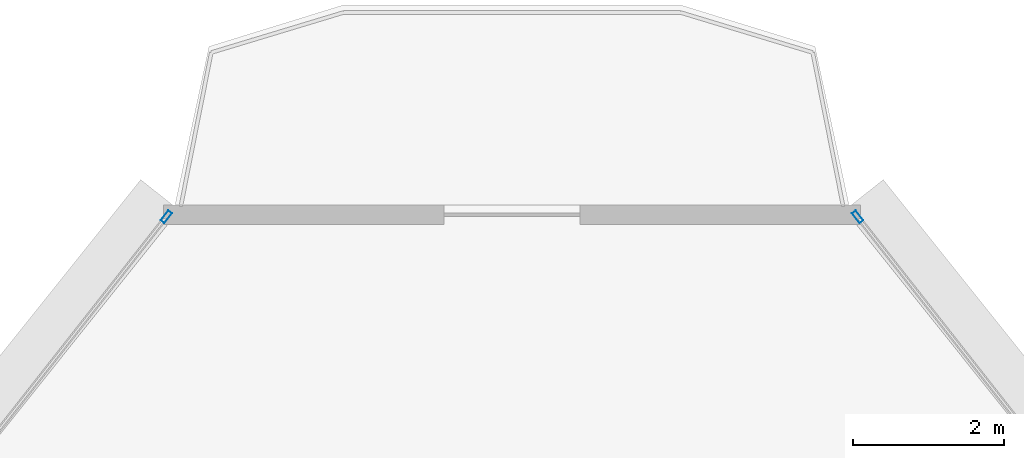
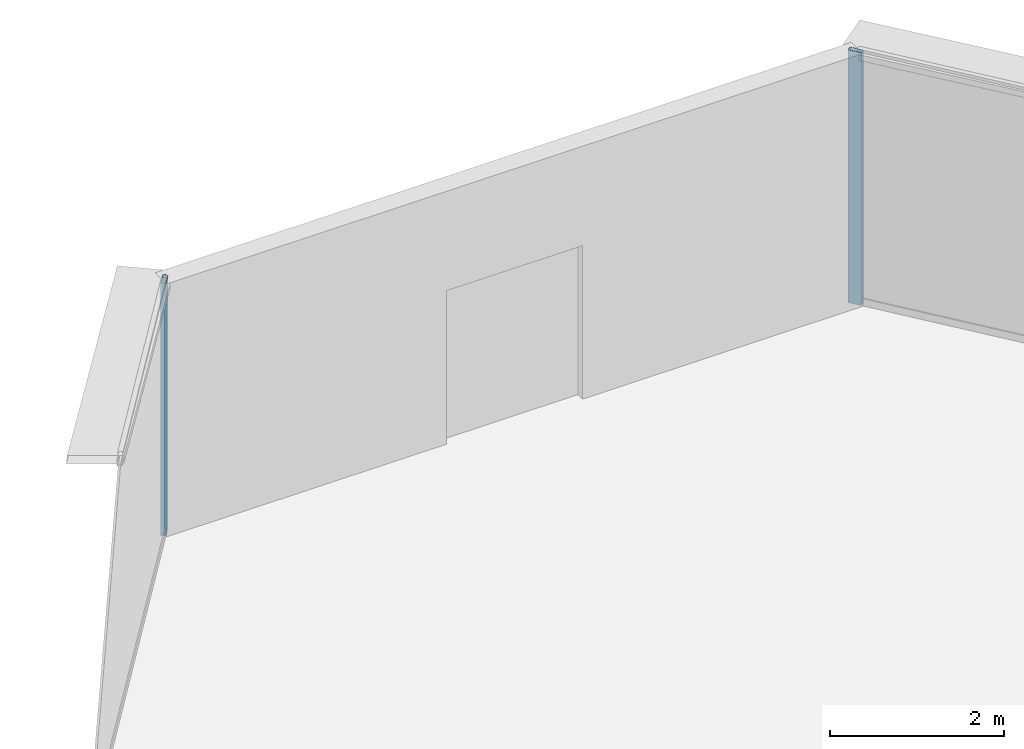
# One storey, part 26 of 39: 2 members, 2 elements without a shape of their own.
"""IFC4 building model written with IfcOpenShell, lengths in metres."""

from ifc_helpers import new_model, si_unit, direction, frame, origin, origin_2d, place, context, subcontext, project, spatial, hollow_rectangle, extrude, source, transform, mapped, material, layer, layer_set, material_profile, profile_set, type_object, element, aggregate, save


model = new_model("IFC4")

# Units and contexts
model_context = context("Model", 3, precision=1e-05, world=origin(), true_north=direction((0.0, 1.0)))
body_context = subcontext(model_context, "Body", "Model", "MODEL_VIEW")
ifc_project = project(units=[si_unit("LENGTHUNIT", "METRE"), si_unit("AREAUNIT", "SQUARE_METRE"), si_unit("VOLUMEUNIT", "CUBIC_METRE"), si_unit("PLANEANGLEUNIT", "RADIAN"), si_unit("MASSUNIT", "GRAM", prefix="KILO"), si_unit("THERMODYNAMICTEMPERATUREUNIT", "KELVIN"), si_unit("POWERUNIT", "WATT")], contexts=[model_context])

# Site, building, storey
site_placement = place(None, origin())
site = spatial("IfcSite", under=ifc_project, at=site_placement, CompositionType="ELEMENT")
building_placement = place(site_placement, origin())
building = spatial("IfcBuilding", under=site, at=building_placement, Name="Yunzhuo Pagoda Commons", CompositionType="ELEMENT")
storey_placement = place(building_placement, frame((0.0, 0.0, 92.580078125)))
storey = spatial("IfcBuildingStorey", under=building, at=storey_placement, Name="L23", CompositionType="ELEMENT", Elevation=92.580078125)

# Curtain wall, member
ifc_material = material(Name="Anodized aluminium 6063-T6", Category="aluminium")
ifc_layer = layer(ifc_material, 0.1650390625)
ifc_layer_set = layer_set([ifc_layer], Name="Anodized aluminium 6063-T6")
curtain_wall_type = type_object("IfcCurtainWallType", Name="CW-LOW Low-Zone Ribbon Curtain Wall", PredefinedType="NOTDEFINED", material=ifc_layer_set)
curtain_wall_1_placement = place(storey_placement, origin())
curtain_wall_1 = element("IfcCurtainWall", 1, at=curtain_wall_1_placement, inside=storey, type_object=curtain_wall_type, Name="L23 curtain wall CW-L23-F2B5", PredefinedType="NOTDEFINED")
ifc_material_profile = material_profile(ifc_material, hollow_rectangle(XDim=0.06494140625, YDim=0.1650390625, WallThickness=0.00390625, at=origin_2d()), Name="Anodized aluminium 6063-T6")
ifc_profile_set = profile_set([ifc_material_profile], Name="Anodized aluminium 6063-T6")
member_type = type_object("IfcMemberType", Name="CW-LOW-M Mullion RHS 165x65x4", PredefinedType="MULLION", material=ifc_profile_set)
shared_shape = source(origin(), body_context, "Body", "SweptSolid", [
    extrude(hollow_rectangle(XDim=0.06494140625, YDim=0.1650390625, WallThickness=0.00390625, at=origin_2d()), origin(), (0.0, 0.0, 1.0), 3.5400390625),
])
member_1_placement = place(storey_placement, frame((52.577392578125, 86.879150390625, 0.0), z_axis=(0.0, 0.0, 1.0), x_axis=(-0.786214870416, -0.617953216301, 0.0)))
member_1 = element("IfcMember", 2, at=member_1_placement, type_object=member_type, Name="CW mullion 2", PredefinedType="MULLION", context=body_context, shape_type="MappedRepresentation", body=[
    mapped(shared_shape, transform((0.0, 0.0, 0.0), scale=1.0)),
])
aggregate(curtain_wall_1, [member_1])

curtain_wall_2_placement = place(storey_placement, origin())
curtain_wall_2 = element("IfcCurtainWall", 3, at=curtain_wall_2_placement, inside=storey, type_object=curtain_wall_type, Name="L23 curtain wall CW-L23-F3B1", PredefinedType="NOTDEFINED")
member_2_placement = place(storey_placement, frame((43.422607421875, 86.879150390625, 0.0), z_axis=(0.0, 0.0, 1.0), x_axis=(0.786214870416, -0.617953216301, 0.0)))
member_2 = element("IfcMember", 4, at=member_2_placement, type_object=member_type, Name="CW mullion 1", PredefinedType="MULLION", context=body_context, shape_type="MappedRepresentation", body=[
    mapped(shared_shape, transform((0.0, 0.0, 0.0), scale=1.0)),
])
aggregate(curtain_wall_2, [member_2])

save(model, "model.ifc")
